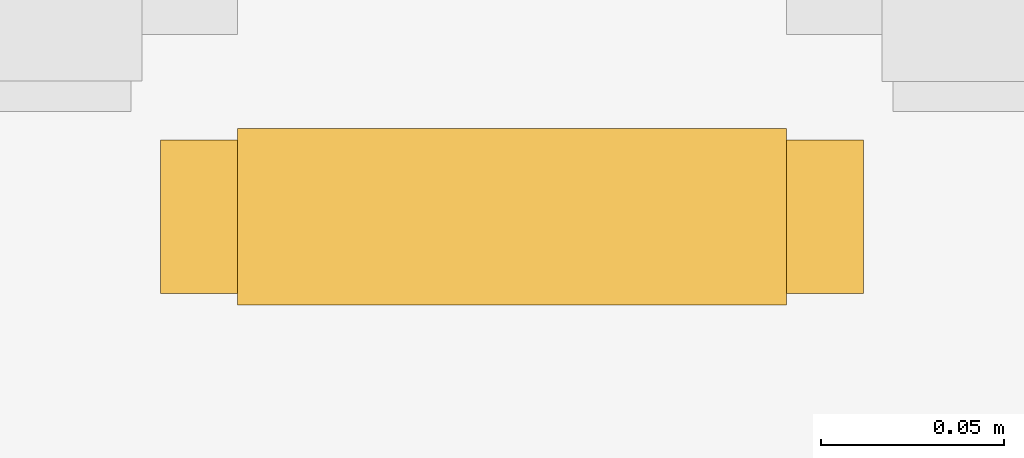
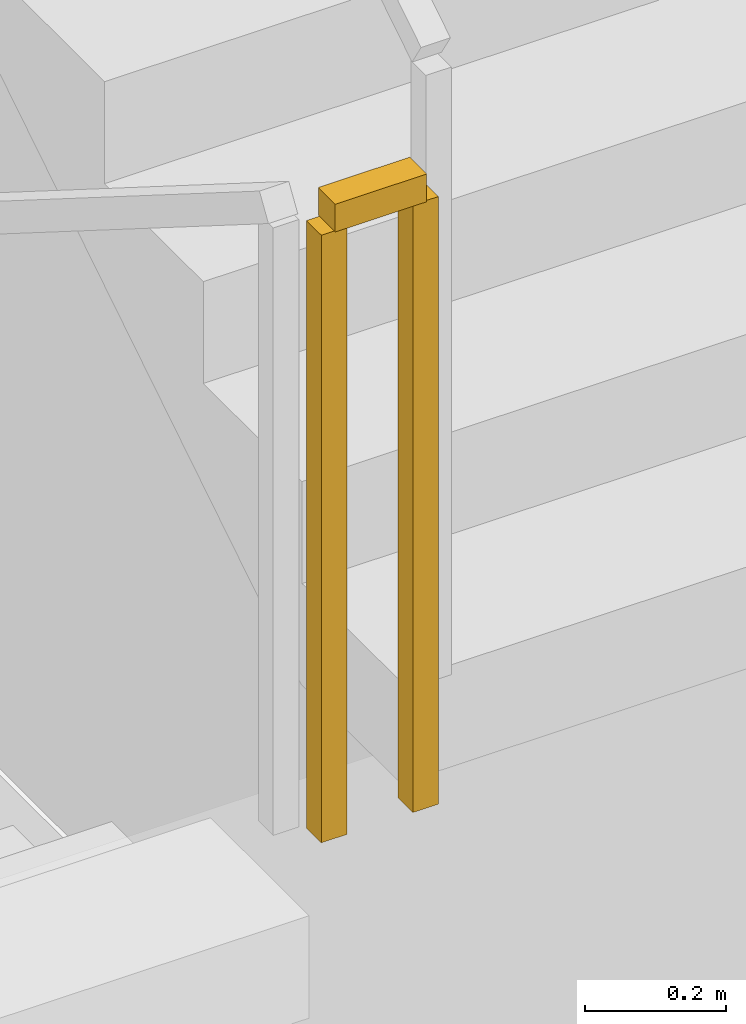
# One storey, part 28 of 35: 1 railing.
"""IFC4 building model written with IfcOpenShell, lengths in metres."""

from ifc_helpers import new_model, si_unit, direction, frame, origin, origin_2d, place, context, subcontext, project, spatial, rectangle, extrude, material, layer, layer_set, type_object, element, save


model = new_model("IFC4")

# Units and contexts
model_context = context("Model", 3, precision=1e-05, world=origin(), true_north=direction((0.0, 1.0)))
body_context = subcontext(model_context, "Body", "Model", "MODEL_VIEW")
ifc_project = project(units=[si_unit("LENGTHUNIT", "METRE"), si_unit("AREAUNIT", "SQUARE_METRE"), si_unit("VOLUMEUNIT", "CUBIC_METRE"), si_unit("PLANEANGLEUNIT", "RADIAN"), si_unit("MASSUNIT", "GRAM", prefix="KILO")], contexts=[model_context])

# Site, building, storey
site_placement = place(None, origin())
site = spatial("IfcSite", under=ifc_project, at=site_placement, CompositionType="ELEMENT")
building_placement = place(site_placement, origin())
building = spatial("IfcBuilding", under=site, at=building_placement, Name="Kilnhurst Terrace Hotel", CompositionType="ELEMENT")
storey_placement = place(building_placement, origin())
storey = spatial("IfcBuildingStorey", under=building, at=storey_placement, Name="L00", CompositionType="ELEMENT", Elevation=0.0)

# Railing
ifc_material = material(Name="Powder-Coated Steel ASTM A500 Grade B", Category="steel")
ifc_layer = layer(ifc_material, 0.050048828125, Name="Powder-Coated Steel ASTM A500 Grade B")
ifc_layer_set = layer_set([ifc_layer], Name="Powder-Coated Steel ASTM A500 Grade B")
railing_type = type_object("IfcRailingType", Name="RLG-ST-GRD-1100", PredefinedType="GUARDRAIL", material=ifc_layer_set)
railing_placement = place(storey_placement, frame((-6.68994140625, -4.139892578125, 3.0)))
element("IfcRailing", 1, at=railing_placement, inside=storey, type_object=railing_type, Name="L00 ST-1 stair guard 2", PredefinedType="GUARDRAIL", context=body_context, shape_type="SweptSolid", body=[
    extrude(rectangle(XDim=0.048095703125, YDim=0.048095703125, at=origin_2d()), frame((0.0, 0.0, 1.076171875), z_axis=(1.0, 0.0, 0.0), x_axis=(0.0, 1.0, 0.0)), (0.0, 0.0, 1.0), 0.14990234375),
    extrude(rectangle(XDim=0.0419921875, YDim=0.0419921875, at=origin_2d()), origin(), (0.0, 0.0, 1.0), 1.052001953125),
    extrude(rectangle(XDim=0.0419921875, YDim=0.0419921875, at=origin_2d()), frame((0.14990234375, 0.0, 0.0)), (0.0, 0.0, 1.0), 1.052001953125),
])

save(model, "model.ifc")
